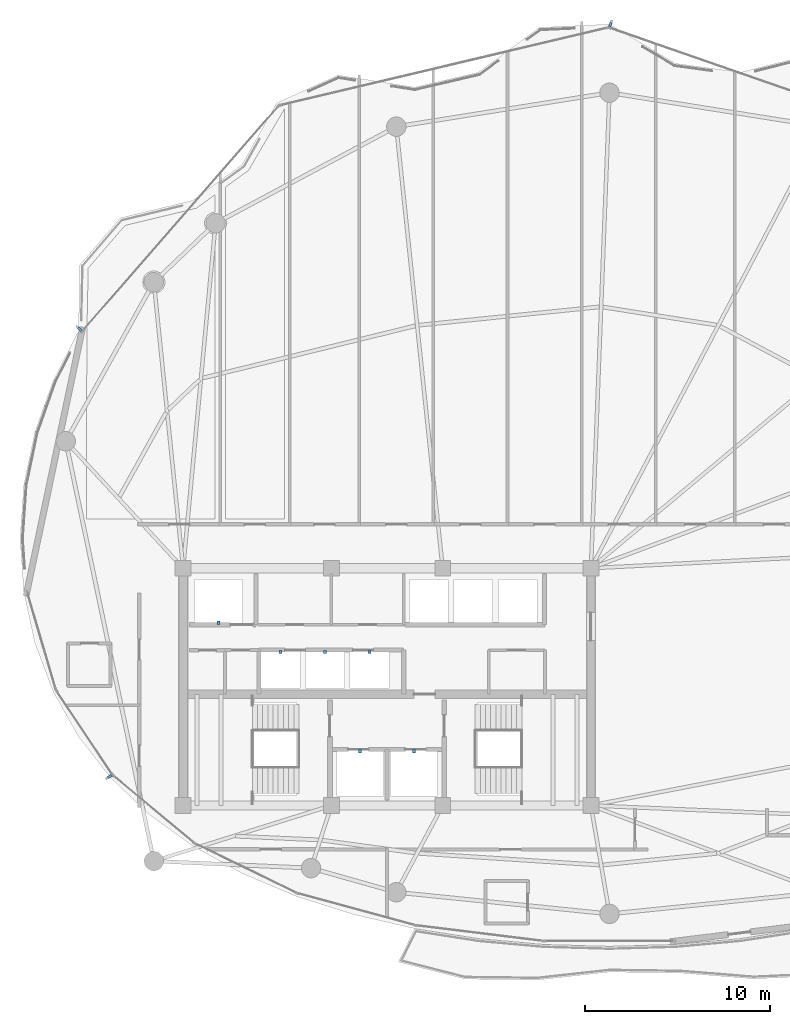
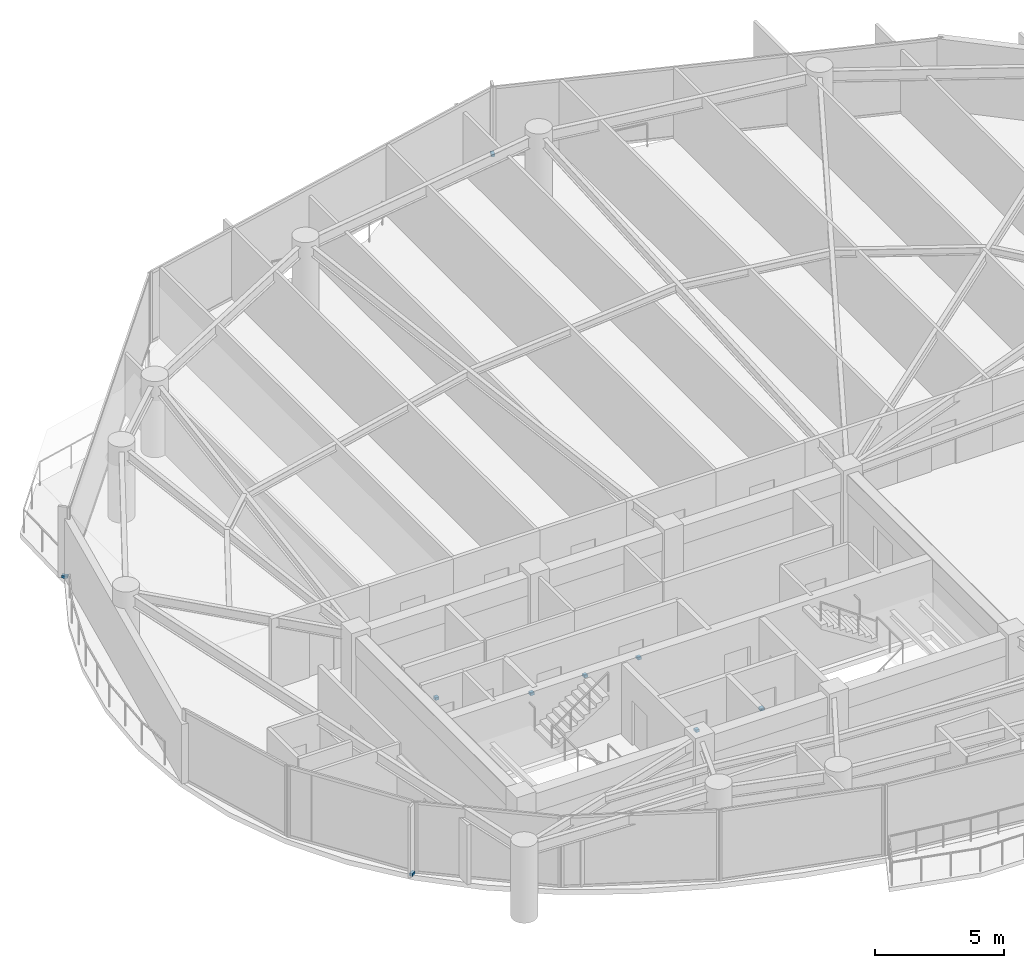
# One storey, part 26 of 29: 9 discrete accessories.
"""IFC4 building model written with IfcOpenShell, lengths in metres."""

import ifcopenshell
import ifcopenshell.guid

model = None  # the IFC model being written
_history = None  # IfcOwnerHistory: only IFC2X3 demands one
_inside = {}  # id of a spatial element -> (the spatial element, [elements in it])
_under = {}  # id of a project, library or spatial element -> (it, [spatial elements below it])
_declared = {}  # id of a project -> (the project, [libraries it declares])
_typed = {}  # id of a type object -> (the type object, [elements of that type])
_made_of = {}  # id of a material, layer set ... -> (it, [elements and type objects made of it])


def new_model(schema):
    """Start an empty IFC model of exactly this schema.

    Asked for "IFC4X3", IfcOpenShell would pick the latest addendum, in which some entities
    have other attributes; the version numbers below select the first issue.
    IFC2X3 requires an IfcOwnerHistory on every rooted entity: one is made here for all.
    """
    global model, _history
    if schema == "IFC4X3":
        model = ifcopenshell.file(schema_version=(4, 3, 0, 0))
    else:
        model = ifcopenshell.file(schema=schema)
    _inside.clear()
    _under.clear()
    _declared.clear()
    _typed.clear()
    _made_of.clear()
    _history = None
    if model.schema == "IFC2X3":
        org = make("IfcOrganization", Name="unknown")
        user = make(
            "IfcPersonAndOrganization",
            ThePerson=make("IfcPerson", FamilyName="unknown"),
            TheOrganization=org,
        )
        app = make(
            "IfcApplication",
            ApplicationDeveloper=org,
            Version="unknown",
            ApplicationFullName="unknown",
            ApplicationIdentifier="unknown",
        )
        _history = make(
            "IfcOwnerHistory",
            OwningUser=user,
            OwningApplication=app,
            ChangeAction="ADDED",
            CreationDate=0,
        )
    return model


def make(cls, **values):
    """One entity of the class cls with the attributes given. An attribute that is None is left unset."""
    return model.create_entity(
        cls, **{name: value for name, value in values.items() if value is not None}
    )


def rooted(cls, **values):
    """An entity with a GlobalId (a new one), such as an element, a storey or a relation."""
    return make(cls, GlobalId=ifcopenshell.guid.new(), OwnerHistory=_history, **values)


def si_unit(unit_type, name, prefix=None):
    """IfcSIUnit, for example si_unit("LENGTHUNIT", "METRE", prefix="MILLI")."""
    return make("IfcSIUnit", UnitType=unit_type, Prefix=prefix, Name=name)


def assignment(units):
    """IfcUnitAssignment: the units of a project."""
    return None if units is None else make("IfcUnitAssignment", Units=units)


def point(xyz):
    """IfcCartesianPoint."""
    return None if xyz is None else make("IfcCartesianPoint", Coordinates=xyz)


def direction(xyz):
    """IfcDirection."""
    return None if xyz is None else make("IfcDirection", DirectionRatios=xyz)


def frame(location, z_axis=None, x_axis=None):
    """IfcAxis2Placement3D, a coordinate frame: its origin and axes. An axis left out is left unset."""
    return make(
        "IfcAxis2Placement3D",
        Location=point(location),
        Axis=direction(z_axis),
        RefDirection=direction(x_axis),
    )


def frame_2d(location, x_axis=None):
    """IfcAxis2Placement2D, a coordinate frame in the plane: its origin and x axis."""
    return make(
        "IfcAxis2Placement2D", Location=point(location), RefDirection=direction(x_axis)
    )


def origin():
    """The frame at (0, 0, 0) with its axes left unset."""
    return frame((0.0, 0.0, 0.0))


def origin_2d():
    """The frame at (0, 0) in the plane with its x axis left unset."""
    return frame_2d((0.0, 0.0))


def place(relative_to, where):
    """IfcLocalPlacement: puts the frame where relative to a parent placement (None: the world)."""
    return make(
        "IfcLocalPlacement", PlacementRelTo=relative_to, RelativePlacement=where
    )


def context(
    kind, dimensions, precision=None, world=None, true_north=None, identifier=None
):
    """IfcGeometricRepresentationContext, for example the 3D "Model" context."""
    return make(
        "IfcGeometricRepresentationContext",
        ContextIdentifier=identifier,
        ContextType=kind,
        CoordinateSpaceDimension=dimensions,
        Precision=precision,
        WorldCoordinateSystem=world,
        TrueNorth=true_north,
    )


def subcontext(parent, identifier, kind, view, scale=None):
    """IfcGeometricRepresentationSubContext, for example "Body" below "Model"."""
    return make(
        "IfcGeometricRepresentationSubContext",
        ContextIdentifier=identifier,
        ContextType=kind,
        ParentContext=parent,
        TargetScale=scale,
        TargetView=view,
    )


def project(units=None, contexts=None):
    """IfcProject with its units and contexts."""
    return rooted(
        "IfcProject",
        Name="project",
        RepresentationContexts=contexts,
        UnitsInContext=assignment(units),
    )


def spatial(cls, under=None, at=None, **own):
    """A site, building, storey or space (cls), placed at a placement, below another one or the project."""
    s = rooted(cls, ObjectPlacement=at, **own)
    if under is not None:
        _under.setdefault(under.id(), (under, []))[1].append(s)
    return s


def profile(cls, at=None, kind="AREA", **sizes):
    """A parametric profile (cls). Its sizes go by their IFC names, for example OverallWidth=200.0."""
    return make(cls, ProfileType=kind, Position=at, **sizes)


def rectangle(**sizes):
    """IfcRectangleProfileDef."""
    return profile("IfcRectangleProfileDef", **sizes)


def extrude(swept, where, along, depth):
    """IfcExtrudedAreaSolid: the profile swept, set in the frame where, extruded along a direction by depth."""
    return make(
        "IfcExtrudedAreaSolid",
        SweptArea=swept,
        Position=where,
        ExtrudedDirection=direction(along),
        Depth=depth,
    )


def shape(context_of_items, identifier, shape_type, items):
    """IfcShapeRepresentation: the items that make up one representation, for example the "Body"."""
    return make(
        "IfcShapeRepresentation",
        ContextOfItems=context_of_items,
        RepresentationIdentifier=identifier,
        RepresentationType=shape_type,
        Items=items,
    )


def material(Name=None, Category=None):
    """IfcMaterial."""
    return make("IfcMaterial", Name=Name, Category=Category)


def made_of(thing, what):
    """Note that an element or type object is made of a material, layer set ...; save() writes the relation."""
    if what is not None:
        _made_of.setdefault(what.id(), (what, []))[1].append(thing)
    return thing


def type_object(cls, material=None, **own):
    """A type object (cls), such as IfcWallType, which elements share."""
    return made_of(rooted(cls, **own), material)


def element(
    cls,
    number,
    at=None,
    inside=None,
    cuts=None,
    type_object=None,
    material=None,
    context=None,
    identifier="Body",
    shape_type=None,
    held_by="IfcProductDefinitionShape",
    body=None,
    shapes=None,
    **own,
):
    """One element of the class cls, such as IfcWall. Its Tag is "e" and its number.

    at: its placement. inside: the storey or other place that contains it. cuts: it is an
    opening in that element (IfcRelVoidsElement). A single representation is given by context,
    identifier, shape_type and body (its items); several are given by shapes. held_by: the class
    of the entity that holds the representations. save() writes the other relations.
    """
    e = rooted(cls, Tag="e%d" % number, ObjectPlacement=at, **own)
    if body is not None:
        shapes = [shape(context, identifier, shape_type, body)]
    if shapes is not None:
        e.Representation = make(held_by, Representations=shapes)
    if inside is not None:
        _inside.setdefault(inside.id(), (inside, []))[1].append(e)
    if cuts is not None:
        rooted(
            "IfcRelVoidsElement", RelatingBuildingElement=cuts, RelatedOpeningElement=e
        )
    if type_object is not None:
        _typed.setdefault(type_object.id(), (type_object, []))[1].append(e)
    return made_of(e, material)


def aggregate(whole, parts):
    """IfcRelAggregates: a whole, such as a stair, and the parts it consists of."""
    return rooted("IfcRelAggregates", RelatingObject=whole, RelatedObjects=parts)


def save(model, path):
    """Write the relations noted so far, then the file.

    IfcRelAggregates (storeys below a building ...), IfcRelContainedInSpatialStructure (elements
    in a storey), IfcRelDefinesByType, IfcRelAssociatesMaterial and IfcRelDeclares: one each for
    every whole, place, type object, material and project.
    """
    for whole, parts in _under.values():
        aggregate(whole, parts)
    for where, things in _inside.values():
        rooted(
            "IfcRelContainedInSpatialStructure",
            RelatedElements=things,
            RelatingStructure=where,
        )
    for kind, things in _typed.values():
        rooted("IfcRelDefinesByType", RelatedObjects=things, RelatingType=kind)
    for what, things in _made_of.values():
        rooted("IfcRelAssociatesMaterial", RelatedObjects=things, RelatingMaterial=what)
    for by, libraries in _declared.values():
        rooted("IfcRelDeclares", RelatingContext=by, RelatedDefinitions=libraries)
    model.write(path)


model = new_model("IFC4")

# Units and contexts
model_context = context("Model", 3, precision=1e-05, world=origin(), true_north=direction((0.0, 1.0)))
body_context = subcontext(model_context, "Body", "Model", "MODEL_VIEW")
ifc_project = project(units=[si_unit("LENGTHUNIT", "METRE"), si_unit("AREAUNIT", "SQUARE_METRE"), si_unit("VOLUMEUNIT", "CUBIC_METRE"), si_unit("PLANEANGLEUNIT", "RADIAN"), si_unit("MASSUNIT", "GRAM", prefix="KILO")], contexts=[model_context])

# Site, building, storey
site_placement = place(None, origin())
site = spatial("IfcSite", under=ifc_project, at=site_placement, CompositionType="ELEMENT")
building_placement = place(site_placement, origin())
building = spatial("IfcBuilding", under=site, at=building_placement, Name="Kazevale Care Tower and Concert Hall", CompositionType="ELEMENT")
storey_placement = place(building_placement, frame((0.0, 0.0, 195.60009765625)))
storey = spatial("IfcBuildingStorey", under=building, at=storey_placement, Name="L51", CompositionType="ELEMENT", Elevation=195.60009765625)

# Discrete accessories
ifc_material = material(Name="Stainless Steel 316", Category="steel")
discrete_accessory_type_1 = type_object("IfcDiscreteAccessoryType", Name="Facade Fin Stainless Anchor Bracket BRK-1", PredefinedType="BRACKET", material=ifc_material)
for number, where, z_axis, x_axis, name in (
    (1, (18.04443359375, 25.1689453125, -0.000244140625), (0.0, 0.0, 1.0), (-0.832147748683, -0.554553986878, 0.0), "cw:L51:f11:brk"),
    (2, (16.42626953125, 49.291015625, -0.000244140625), (0.0, 0.0, 1.0), (-0.753792813636, 0.657112162503, 0.0), "cw:L51:f14:brk"),
    (3, (45.047607421875, 65.71533203125, -0.000244140625), (0.0, 0.0, 1.0), (0.328536977169, 0.944491108816, 0.0), "cw:L51:f16:brk"),
):
    element("IfcDiscreteAccessory", number, at=place(storey_placement, frame(where, z_axis=z_axis, x_axis=x_axis)), inside=storey, type_object=discrete_accessory_type_1, Name=name, PredefinedType="BRACKET", context=body_context, shape_type="SweptSolid", body=[
        extrude(rectangle(XDim=0.239990234375, YDim=0.139892578125, at=origin_2d()), origin(), (0.0, 0.0, 1.0), 0.1201171875),
    ])
discrete_accessory_type_2 = type_object("IfcDiscreteAccessoryType", Name="Hoistway Guide-Rail Wall Bracket HBRK-1", PredefinedType="BRACKET", material=ifc_material)
for number, where, z_axis, x_axis, name in (
    (4, (31.550048828125, 26.52001953125, 1.23974609375), (0.0, 0.0, 1.0), (1.0, 0.0, 0.0), "hbrk:FFL-1:L51"),
    (5, (34.449951171875, 26.52001953125, 1.23974609375), (0.0, 0.0, 1.0), (1.0, 0.0, 0.0), "hbrk:FFL-2:L51"),
    (6, (23.89990234375, 33.449951171875, 1.23974609375), (0.0, 0.0, 1.0), (1.0, 0.0, 0.0), "hbrk:SVL-1:L51"),
    (7, (27.25, 31.8798828125, 1.23974609375), (0.0, 0.0, 1.0), (1.0, 0.0, 0.0), "hbrk:PH-1:L51"),
    (8, (29.64990234375, 31.8798828125, 1.23974609375), (0.0, 0.0, 1.0), (1.0, 0.0, 0.0), "hbrk:PH-2:L51"),
    (9, (32.050048828125, 31.8798828125, 1.23974609375), (0.0, 0.0, 1.0), (1.0, 0.0, 0.0), "hbrk:PH-3:L51"),
):
    element("IfcDiscreteAccessory", number, at=place(storey_placement, frame(where, z_axis=z_axis, x_axis=x_axis)), inside=storey, type_object=discrete_accessory_type_2, Name=name, PredefinedType="BRACKET", context=body_context, shape_type="SweptSolid", body=[
        extrude(rectangle(XDim=0.159912109375, YDim=0.179931640625, at=origin_2d()), origin(), (0.0, 0.0, 1.0), 0.1201171875),
    ])

save(model, "model.ifc")
